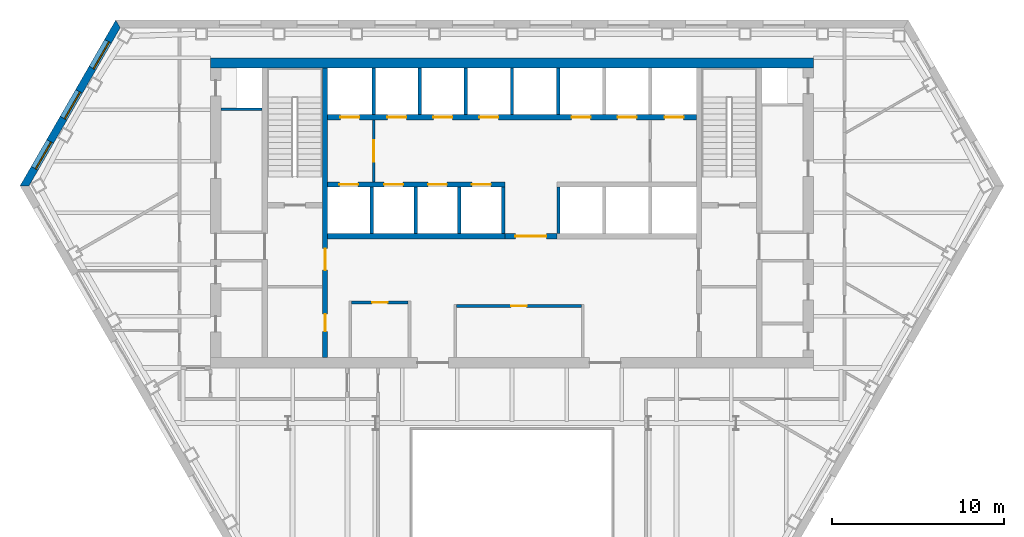
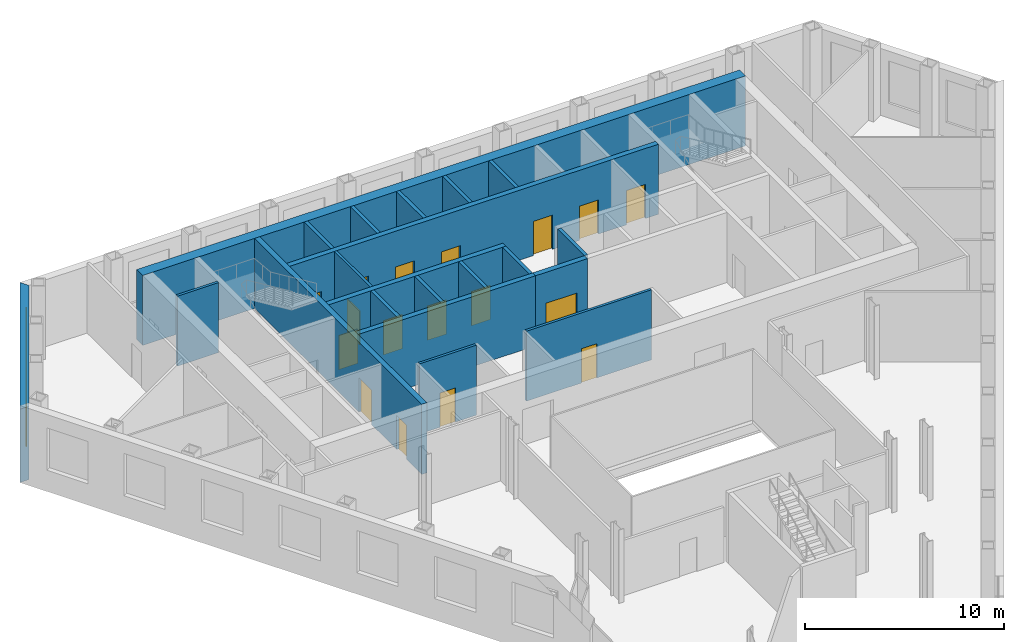
# One storey, part 6 of 11: 21 walls, 17 doors, 3 windows, 20 openings.
"""IFC4 building model written with IfcOpenShell, lengths in metres."""

from ifc_helpers import new_model, si_unit, direction, frame, frame_2d, origin, place, context, subcontext, project, spatial, polyline, rectangle, outline, extrude, material, layer, layer_set, type_object, element, fill, save


model = new_model("IFC4")

# Units and contexts
model_context = context("Model", 3, precision=1e-05, world=origin(), true_north=direction((0.0, 1.0)))
body_context = subcontext(model_context, "Body", "Model", "MODEL_VIEW")
ifc_project = project(units=[si_unit("LENGTHUNIT", "METRE"), si_unit("AREAUNIT", "SQUARE_METRE"), si_unit("VOLUMEUNIT", "CUBIC_METRE"), si_unit("PLANEANGLEUNIT", "RADIAN"), si_unit("MASSUNIT", "GRAM", prefix="KILO")], contexts=[model_context])

# Site, building, storey
site_placement = place(None, origin())
site = spatial("IfcSite", under=ifc_project, at=site_placement, CompositionType="ELEMENT")
building_placement = place(site_placement, origin())
building = spatial("IfcBuilding", under=site, at=building_placement, Name="Njiva Tower", CompositionType="ELEMENT")
storey_placement = place(building_placement, frame((0.0, 0.0, 64.8)))
storey = spatial("IfcBuildingStorey", under=building, at=storey_placement, Name="L13", CompositionType="ELEMENT", Elevation=64.8)

# Wall, opening, door
ifc_material_1 = material(Name="Blockwork", Category="masonry")
ifc_layer_1 = layer(ifc_material_1, 0.15)
ifc_layer_set_1 = layer_set([ifc_layer_1], Name="Blockwork")
wall_type_1 = type_object("IfcWallType", Name="WT1 Compartment partition 150", PredefinedType="PARTITIONING", material=ifc_layer_set_1)
wall_1_placement = place(storey_placement, frame((-9.325, 3.8, 0.0), z_axis=(0.0, 0.0, 1.0), x_axis=(1.0, 0.0, 0.0)))
wall_1 = element("IfcWall", 1, at=wall_1_placement, inside=storey, type_object=wall_type_1, Name="Security office wall north", PredefinedType="PARTITIONING", context=body_context, shape_type="SweptSolid", body=[
    extrude(rectangle(XDim=3.3, YDim=0.15, at=frame_2d((1.65, 0.0))), origin(), (0.0, 0.0, 1.0), 4.3),
])
opening_1_placement = place(wall_1_placement, frame((1.2, 0.0, 0.0)))
opening_1 = element("IfcOpeningElement", 2, at=opening_1_placement, cuts=wall_1, Name="Opening S04-D932", PredefinedType="OPENING", context=body_context, shape_type="SweptSolid", body=[
    extrude(rectangle(XDim=0.9, YDim=2.1, at=frame_2d((0.45, 1.05))), frame((0.0, 0.085, 0.0), z_axis=(0.0, -1.0, 0.0), x_axis=(1.0, 0.0, 0.0)), (0.0, 0.0, 1.0), 0.17),
])
ifc_material_2 = material(Name="Steel fire door, painted", Category="steel")
door_type_1 = type_object("IfcDoorType", Name="D6 Fire-rated door 900x2100", OperationType="SINGLE_SWING_LEFT", PredefinedType="DOOR", material=ifc_material_2)
door_1_placement = place(opening_1_placement, origin())
door_1 = element("IfcDoor", 3, at=door_1_placement, inside=storey, type_object=door_type_1, Name="Security office door", OperationType="SINGLE_SWING_RIGHT", OverallHeight=2.1, OverallWidth=0.9, PredefinedType="DOOR", context=body_context, shape_type="SweptSolid", body=[
    extrude(rectangle(XDim=0.9, YDim=2.1, at=frame_2d((0.45, 1.05))), frame((0.0, 0.025, 0.0), z_axis=(0.0, -1.0, 0.0), x_axis=(1.0, 0.0, 0.0)), (0.0, 0.0, 1.0), 0.05),
])
fill(opening_1, door_1)

wall_2_placement = place(storey_placement, frame((-3.225, 3.6, 0.0), z_axis=(0.0, 0.0, 1.0), x_axis=(1.0, 0.0, 0.0)))
wall_2 = element("IfcWall", 4, at=wall_2_placement, inside=storey, type_object=wall_type_1, Name="Concierge office wall north", PredefinedType="PARTITIONING", context=body_context, shape_type="SweptSolid", body=[
    extrude(rectangle(XDim=7.25, YDim=0.15, at=frame_2d((3.625, 0.0))), origin(), (0.0, 0.0, 1.0), 4.3),
])
opening_2_placement = place(wall_2_placement, frame((3.175, 0.0, 0.0)))
opening_2 = element("IfcOpeningElement", 5, at=opening_2_placement, cuts=wall_2, Name="Opening S04-D933", PredefinedType="OPENING", context=body_context, shape_type="SweptSolid", body=[
    extrude(rectangle(XDim=0.9, YDim=2.1, at=frame_2d((0.45, 1.05))), frame((0.0, 0.085, 0.0), z_axis=(0.0, -1.0, 0.0), x_axis=(1.0, 0.0, 0.0)), (0.0, 0.0, 1.0), 0.17),
])
door_2_placement = place(opening_2_placement, origin())
door_2 = element("IfcDoor", 6, at=door_2_placement, inside=storey, type_object=door_type_1, Name="Concierge office door", OperationType="SINGLE_SWING_LEFT", OverallHeight=2.1, OverallWidth=0.9, PredefinedType="DOOR", context=body_context, shape_type="SweptSolid", body=[
    extrude(rectangle(XDim=0.9, YDim=2.1, at=frame_2d((0.45, 1.05))), frame((0.0, 0.025, 0.0), z_axis=(0.0, -1.0, 0.0), x_axis=(1.0, 0.0, 0.0)), (0.0, 0.0, 1.0), 0.05),
])
fill(opening_2, door_2)

# Wall, openings, doors
ifc_material_3 = material(Name="Concrete C40/50", Category="concrete")
ifc_layer_2 = layer(ifc_material_3, 0.3)
ifc_layer_set_2 = layer_set([ifc_layer_2], Name="Concrete C40/50")
wall_type_2 = type_object("IfcWallType", Name="WT10 Stair enclosure wall 300", PredefinedType="SHEAR", material=ifc_layer_set_2)
wall_3_placement = place(storey_placement, frame((-10.85, 0.6, 0.0), z_axis=(0.0, 0.0, 1.0), x_axis=(0.0, 1.0, 0.0)))
wall_3 = element("IfcWall", 7, at=wall_3_placement, inside=storey, type_object=wall_type_2, Name="Stair wall west inner", PredefinedType="SHEAR", context=body_context, shape_type="SweptSolid", body=[
    extrude(rectangle(XDim=16.8, YDim=0.3, at=frame_2d((8.4, 0.0))), origin(), (0.0, 0.0, 1.0), 4.3),
])
opening_3_placement = place(wall_3_placement, frame((5.075, 0.0, 0.0)))
opening_3 = element("IfcOpeningElement", 8, at=opening_3_placement, cuts=wall_3, Name="Opening S04-D914", PredefinedType="OPENING", context=body_context, shape_type="SweptSolid", body=[
    extrude(rectangle(XDim=1.25, YDim=2.1, at=frame_2d((0.625, 1.05))), frame((0.0, 0.16, 0.0), z_axis=(0.0, -1.0, 0.0), x_axis=(1.0, 0.0, 0.0)), (0.0, 0.0, 1.0), 0.32),
])
opening_4_placement = place(wall_3_placement, frame((1.525, 0.0, 0.0)))
opening_4 = element("IfcOpeningElement", 9, at=opening_4_placement, cuts=wall_3, Name="Opening S04-D915", PredefinedType="OPENING", context=body_context, shape_type="SweptSolid", body=[
    extrude(rectangle(XDim=1.0, YDim=2.1, at=frame_2d((0.5, 1.05))), frame((0.0, 0.16, 0.0), z_axis=(0.0, -1.0, 0.0), x_axis=(1.0, 0.0, 0.0)), (0.0, 0.0, 1.0), 0.32),
])
ifc_material_4 = material(Name="Steel door, painted", Category="steel")
door_type_2 = type_object("IfcDoorType", Name="D5 Steel door 1000x2100", OperationType="SINGLE_SWING_LEFT", PredefinedType="DOOR", material=ifc_material_4)
door_3_placement = place(opening_4_placement, origin())
door_3 = element("IfcDoor", 10, at=door_3_placement, inside=storey, type_object=door_type_2, Name="Business centre door", OperationType="SINGLE_SWING_RIGHT", OverallHeight=2.1, OverallWidth=1.0, PredefinedType="DOOR", context=body_context, shape_type="SweptSolid", body=[
    extrude(rectangle(XDim=1.0, YDim=2.1, at=frame_2d((0.5, 1.05))), frame((0.0, 0.025, 0.0), z_axis=(0.0, -1.0, 0.0), x_axis=(1.0, 0.0, 0.0)), (0.0, 0.0, 1.0), 0.05),
])
fill(opening_4, door_3)
ifc_material_5 = material(Name="Glazed steel fire door", Category="steel")
door_type_3 = type_object("IfcDoorType", Name="D8 Vestibule corridor door 1250x2100 glazed", OperationType="SINGLE_SWING_LEFT", PredefinedType="DOOR", material=ifc_material_5)
door_4_placement = place(opening_3_placement, origin())
door_4 = element("IfcDoor", 11, at=door_4_placement, inside=storey, type_object=door_type_3, Name="Stair vestibule corridor door", OperationType="SINGLE_SWING_LEFT", OverallHeight=2.1, OverallWidth=1.25, PredefinedType="DOOR", context=body_context, shape_type="SweptSolid", body=[
    extrude(rectangle(XDim=1.25, YDim=2.1, at=frame_2d((0.625, 1.05))), frame((0.0, 0.025, 0.0), z_axis=(0.0, -1.0, 0.0), x_axis=(1.0, 0.0, 0.0)), (0.0, 0.0, 1.0), 0.05),
])
fill(opening_3, door_4)

# Wall
ifc_material_6 = material(Name="Concrete C60/75", Category="concrete")
ifc_layer_3 = layer(ifc_material_6, 0.6)
ifc_layer_set_3 = layer_set([ifc_layer_3], Name="Concrete C60/75")
wall_type_3 = type_object("IfcWallType", Name="WT15 Core wall 600", PredefinedType="SHEAR", material=ifc_layer_set_3)
wall_4_placement = place(storey_placement, frame((-17.5, 17.7, 0.0), z_axis=(0.0, 0.0, 1.0), x_axis=(1.0, 0.0, 0.0)))
element("IfcWall", 12, at=wall_4_placement, inside=storey, type_object=wall_type_3, Name="Core wall north", PredefinedType="SHEAR", context=body_context, shape_type="SweptSolid", body=[
    extrude(rectangle(XDim=35.0, YDim=0.6, at=frame_2d((17.5, 0.0))), origin(), (0.0, 0.0, 1.0), 4.3),
])

# Wall, opening, door
ifc_layer_4 = layer(ifc_material_1, 0.15)
ifc_layer_set_4 = layer_set([ifc_layer_4], Name="Blockwork")
wall_type_4 = type_object("IfcWallType", Name="WT2 Lobby partition 150", PredefinedType="PARTITIONING", material=ifc_layer_set_4)
wall_5_placement = place(storey_placement, frame((-8.025, 10.8, 0.0), z_axis=(0.0, 0.0, 1.0), x_axis=(0.0, 1.0, 0.0)))
wall_5 = element("IfcWall", 13, at=wall_5_placement, inside=storey, type_object=wall_type_4, Name="Firefighting lobby wall A", PredefinedType="PARTITIONING", context=body_context, shape_type="SweptSolid", body=[
    extrude(rectangle(XDim=3.6, YDim=0.15, at=frame_2d((1.8, 0.0))), origin(), (0.0, 0.0, 1.0), 4.3),
])
opening_5_placement = place(wall_5_placement, frame((1.175, 0.0, 0.0)))
opening_5 = element("IfcOpeningElement", 14, at=opening_5_placement, cuts=wall_5, Name="Opening S04-D912", PredefinedType="OPENING", context=body_context, shape_type="SweptSolid", body=[
    extrude(rectangle(XDim=1.25, YDim=2.1, at=frame_2d((0.625, 1.05))), frame((0.0, 0.085, 0.0), z_axis=(0.0, -1.0, 0.0), x_axis=(1.0, 0.0, 0.0)), (0.0, 0.0, 1.0), 0.17),
])
door_5_placement = place(opening_5_placement, origin())
door_5 = element("IfcDoor", 15, at=door_5_placement, inside=storey, type_object=door_type_3, Name="Stair vestibule corridor door", OperationType="SINGLE_SWING_RIGHT", OverallHeight=2.1, OverallWidth=1.25, PredefinedType="DOOR", context=body_context, shape_type="SweptSolid", body=[
    extrude(rectangle(XDim=1.25, YDim=2.1, at=frame_2d((0.625, 1.05))), frame((0.0, 0.025, 0.0), z_axis=(0.0, -1.0, 0.0), x_axis=(1.0, 0.0, 0.0)), (0.0, 0.0, 1.0), 0.05),
])
fill(opening_5, door_5)

# Wall
ifc_layer_5 = layer(ifc_material_1, 0.15)
ifc_layer_set_5 = layer_set([ifc_layer_5], Name="Blockwork")
wall_type_5 = type_object("IfcWallType", Name="WT3 Riser partition 150", PredefinedType="PARTITIONING", material=ifc_layer_set_5)
wall_6_placement = place(storey_placement, frame((-16.9, 15.0285, 0.0), z_axis=(0.0, 0.0, 1.0), x_axis=(1.0, 0.0, 0.0)))
element("IfcWall", 16, at=wall_6_placement, inside=storey, type_object=wall_type_5, Name="Partition strip W10", PredefinedType="PARTITIONING", context=body_context, shape_type="SweptSolid", body=[
    extrude(rectangle(XDim=2.4, YDim=0.15, at=frame_2d((1.2, 0.0))), origin(), (0.0, 0.0, 1.0), 4.3),
])

# Wall, opening, door
ifc_layer_6 = layer(ifc_material_1, 0.3)
ifc_layer_set_6 = layer_set([ifc_layer_6], Name="Blockwork")
wall_type_6 = type_object("IfcWallType", Name="WT5 Lobby partition 300", PredefinedType="PARTITIONING", material=ifc_layer_set_6)
wall_7_placement = place(storey_placement, frame((-0.4, 7.65, 0.0), z_axis=(0.0, 0.0, 1.0), x_axis=(1.0, 0.0, 0.0)))
wall_7 = element("IfcWall", 17, at=wall_7_placement, inside=storey, type_object=wall_type_6, Name="Lift lobby screen wall", PredefinedType="PARTITIONING", context=body_context, shape_type="SweptSolid", body=[
    extrude(rectangle(XDim=3.0, YDim=0.3, at=frame_2d((1.5, 0.0))), origin(), (0.0, 0.0, 1.0), 4.3),
])
opening_6_placement = place(wall_7_placement, frame((0.6, 0.0, 0.0)))
opening_6 = element("IfcOpeningElement", 18, at=opening_6_placement, cuts=wall_7, Name="Opening S04-D934", PredefinedType="OPENING", context=body_context, shape_type="SweptSolid", body=[
    extrude(rectangle(XDim=1.8, YDim=2.4, at=frame_2d((0.9, 1.2))), frame((0.0, 0.16, 0.0), z_axis=(0.0, -1.0, 0.0), x_axis=(1.0, 0.0, 0.0)), (0.0, 0.0, 1.0), 0.32),
])
ifc_material_7 = material(Name="Steel and glass door", Category="steel")
door_type_4 = type_object("IfcDoorType", Name="D3 Core entrance door 1800x2400", OperationType="DOUBLE_DOOR_SINGLE_SWING", PredefinedType="DOOR", material=ifc_material_7)
door_6_placement = place(opening_6_placement, origin())
door_6 = element("IfcDoor", 19, at=door_6_placement, inside=storey, type_object=door_type_4, Name="Core entrance door", OperationType="DOUBLE_DOOR_SINGLE_SWING", OverallHeight=2.4, OverallWidth=1.8, PredefinedType="DOOR", context=body_context, shape_type="SweptSolid", body=[
    extrude(rectangle(XDim=1.8, YDim=2.4, at=frame_2d((0.9, 1.2))), frame((0.0, 0.025, 0.0), z_axis=(0.0, -1.0, 0.0), x_axis=(1.0, 0.0, 0.0)), (0.0, 0.0, 1.0), 0.05),
])
fill(opening_6, door_6)

# Walls
ifc_layer_7 = layer(ifc_material_3, 0.2)
ifc_layer_set_7 = layer_set([ifc_layer_7], Name="Concrete C40/50")
wall_type_7 = type_object("IfcWallType", Name="WT6 Lift shaft wall 200", PredefinedType="SHEAR", material=ifc_layer_set_7)
for number, where, z_axis, x_axis, name in (
    (20, (-8.025, 14.7, 0.0), (0.0, 0.0, 1.0), (0.0, 1.0, 0.0), "Shaft wall CN1"),
    (21, (-5.35, 14.7, 0.0), (0.0, 0.0, 1.0), (0.0, 1.0, 0.0), "Shaft wall CN2"),
    (22, (-2.675, 14.7, 0.0), (0.0, 0.0, 1.0), (0.0, 1.0, 0.0), "Shaft wall CN3"),
    (23, (0.0, 14.7, 0.0), (0.0, 0.0, 1.0), (0.0, 1.0, 0.0), "Shaft wall CN4"),
    (24, (2.675, 14.7, 0.0), (0.0, 0.0, 1.0), (0.0, 1.0, 0.0), "Shaft wall CN5"),
    (25, (-8.15, 7.8, 0.0), (0.0, 0.0, 1.0), (0.0, 1.0, 0.0), "Shaft wall CS1"),
    (26, (-5.6, 7.8, 0.0), (0.0, 0.0, 1.0), (0.0, 1.0, 0.0), "Shaft wall CS2"),
    (27, (-3.05, 7.8, 0.0), (0.0, 0.0, 1.0), (0.0, 1.0, 0.0), "Shaft wall CS3"),
    (28, (-0.5, 7.8, 0.0), (0.0, 0.0, 1.0), (0.0, 1.0, 0.0), "Shaft wall CS4"),
    (29, (2.7, 7.8, 0.0), (0.0, 0.0, 1.0), (0.0, 1.0, 0.0), "Shaft wall CS5"),
):
    element("IfcWall", number, at=place(storey_placement, frame(where, z_axis=z_axis, x_axis=x_axis)), inside=storey, type_object=wall_type_7, Name=name, PredefinedType="SHEAR", context=body_context, shape_type="SweptSolid", body=[
        extrude(rectangle(XDim=2.7, YDim=0.2, at=frame_2d((1.35, 0.0))), origin(), (0.0, 0.0, 1.0), 4.3),
    ])

# Wall, openings, doors
ifc_layer_8 = layer(ifc_material_3, 0.3)
ifc_layer_set_8 = layer_set([ifc_layer_8], Name="Concrete C40/50")
wall_type_8 = type_object("IfcWallType", Name="WT7 Lift shaft wall 300", PredefinedType="SHEAR", material=ifc_layer_set_8)
wall_8_placement = place(storey_placement, frame((-10.7, 14.55, 0.0), z_axis=(0.0, 0.0, 1.0), x_axis=(1.0, 0.0, 0.0)))
wall_8 = element("IfcWall", 30, at=wall_8_placement, inside=storey, type_object=wall_type_8, Name="Shaft wall north row lobby side", PredefinedType="SHEAR", context=body_context, shape_type="SweptSolid", body=[
    extrude(rectangle(XDim=21.4, YDim=0.3, at=frame_2d((10.7, 0.0))), origin(), (0.0, 0.0, 1.0), 4.3),
])
opening_7_placement = place(wall_8_placement, frame((0.7375, 0.0, 0.0)))
opening_7 = element("IfcOpeningElement", 31, at=opening_7_placement, cuts=wall_8, Name="Opening S04-D901", PredefinedType="OPENING", context=body_context, shape_type="SweptSolid", body=[
    extrude(rectangle(XDim=1.1, YDim=2.1, at=frame_2d((0.55, 1.05))), frame((0.0, 0.16, 0.0), z_axis=(0.0, -1.0, 0.0), x_axis=(1.0, 0.0, 0.0)), (0.0, 0.0, 1.0), 0.32),
])
opening_8_placement = place(wall_8_placement, frame((3.4625, 0.0, 0.0)))
opening_8 = element("IfcOpeningElement", 32, at=opening_8_placement, cuts=wall_8, Name="Opening S04-D902", PredefinedType="OPENING", context=body_context, shape_type="SweptSolid", body=[
    extrude(rectangle(XDim=1.1, YDim=2.1, at=frame_2d((0.55, 1.05))), frame((0.0, 0.16, 0.0), z_axis=(0.0, -1.0, 0.0), x_axis=(1.0, 0.0, 0.0)), (0.0, 0.0, 1.0), 0.32),
])
opening_9_placement = place(wall_8_placement, frame((6.1375, 0.0, 0.0)))
opening_9 = element("IfcOpeningElement", 33, at=opening_9_placement, cuts=wall_8, Name="Opening S04-D903", PredefinedType="OPENING", context=body_context, shape_type="SweptSolid", body=[
    extrude(rectangle(XDim=1.1, YDim=2.1, at=frame_2d((0.55, 1.05))), frame((0.0, 0.16, 0.0), z_axis=(0.0, -1.0, 0.0), x_axis=(1.0, 0.0, 0.0)), (0.0, 0.0, 1.0), 0.32),
])
opening_10_placement = place(wall_8_placement, frame((8.8125, 0.0, 0.0)))
opening_10 = element("IfcOpeningElement", 34, at=opening_10_placement, cuts=wall_8, Name="Opening S04-D904", PredefinedType="OPENING", context=body_context, shape_type="SweptSolid", body=[
    extrude(rectangle(XDim=1.1, YDim=2.1, at=frame_2d((0.55, 1.05))), frame((0.0, 0.16, 0.0), z_axis=(0.0, -1.0, 0.0), x_axis=(1.0, 0.0, 0.0)), (0.0, 0.0, 1.0), 0.32),
])
opening_11_placement = place(wall_8_placement, frame((14.1625, 0.0, 0.0)))
opening_11 = element("IfcOpeningElement", 35, at=opening_11_placement, cuts=wall_8, Name="Opening S04-D905", PredefinedType="OPENING", context=body_context, shape_type="SweptSolid", body=[
    extrude(rectangle(XDim=1.1, YDim=2.1, at=frame_2d((0.55, 1.05))), frame((0.0, 0.16, 0.0), z_axis=(0.0, -1.0, 0.0), x_axis=(1.0, 0.0, 0.0)), (0.0, 0.0, 1.0), 0.32),
])
opening_12_placement = place(wall_8_placement, frame((16.8375, 0.0, 0.0)))
opening_12 = element("IfcOpeningElement", 36, at=opening_12_placement, cuts=wall_8, Name="Opening S04-D906", PredefinedType="OPENING", context=body_context, shape_type="SweptSolid", body=[
    extrude(rectangle(XDim=1.1, YDim=2.1, at=frame_2d((0.55, 1.05))), frame((0.0, 0.16, 0.0), z_axis=(0.0, -1.0, 0.0), x_axis=(1.0, 0.0, 0.0)), (0.0, 0.0, 1.0), 0.32),
])
opening_13_placement = place(wall_8_placement, frame((19.5625, 0.0, 0.0)))
opening_13 = element("IfcOpeningElement", 37, at=opening_13_placement, cuts=wall_8, Name="Opening S04-D907", PredefinedType="OPENING", context=body_context, shape_type="SweptSolid", body=[
    extrude(rectangle(XDim=1.1, YDim=2.1, at=frame_2d((0.55, 1.05))), frame((0.0, 0.16, 0.0), z_axis=(0.0, -1.0, 0.0), x_axis=(1.0, 0.0, 0.0)), (0.0, 0.0, 1.0), 0.32),
])
ifc_material_8 = material(Name="Stainless steel sliding door", Category="steel")
door_type_5 = type_object("IfcDoorType", Name="LD Lift landing door 1100x2100", OperationType="SLIDING_TO_LEFT", PredefinedType="DOOR", material=ifc_material_8)
door_7_placement = place(opening_7_placement, origin())
door_7 = element("IfcDoor", 38, at=door_7_placement, inside=storey, type_object=door_type_5, Name="Lift landing door FF1", OperationType="SLIDING_TO_LEFT", OverallHeight=2.1, OverallWidth=1.1, PredefinedType="DOOR", context=body_context, shape_type="SweptSolid", body=[
    extrude(rectangle(XDim=1.1, YDim=2.1, at=frame_2d((0.55, 1.05))), frame((0.0, 0.025, 0.0), z_axis=(0.0, -1.0, 0.0), x_axis=(1.0, 0.0, 0.0)), (0.0, 0.0, 1.0), 0.05),
])
fill(opening_7, door_7)
door_8_placement = place(opening_8_placement, origin())
door_8 = element("IfcDoor", 39, at=door_8_placement, inside=storey, type_object=door_type_5, Name="Lift landing door LB1", OperationType="SLIDING_TO_LEFT", OverallHeight=2.1, OverallWidth=1.1, PredefinedType="DOOR", context=body_context, shape_type="SweptSolid", body=[
    extrude(rectangle(XDim=1.1, YDim=2.1, at=frame_2d((0.55, 1.05))), frame((0.0, 0.025, 0.0), z_axis=(0.0, -1.0, 0.0), x_axis=(1.0, 0.0, 0.0)), (0.0, 0.0, 1.0), 0.05),
])
fill(opening_8, door_8)
door_9_placement = place(opening_9_placement, origin())
door_9 = element("IfcDoor", 40, at=door_9_placement, inside=storey, type_object=door_type_5, Name="Lift landing door LB2", OperationType="SLIDING_TO_LEFT", OverallHeight=2.1, OverallWidth=1.1, PredefinedType="DOOR", context=body_context, shape_type="SweptSolid", body=[
    extrude(rectangle(XDim=1.1, YDim=2.1, at=frame_2d((0.55, 1.05))), frame((0.0, 0.025, 0.0), z_axis=(0.0, -1.0, 0.0), x_axis=(1.0, 0.0, 0.0)), (0.0, 0.0, 1.0), 0.05),
])
fill(opening_9, door_9)
door_10_placement = place(opening_10_placement, origin())
door_10 = element("IfcDoor", 41, at=door_10_placement, inside=storey, type_object=door_type_5, Name="Lift landing door LB3", OperationType="SLIDING_TO_LEFT", OverallHeight=2.1, OverallWidth=1.1, PredefinedType="DOOR", context=body_context, shape_type="SweptSolid", body=[
    extrude(rectangle(XDim=1.1, YDim=2.1, at=frame_2d((0.55, 1.05))), frame((0.0, 0.025, 0.0), z_axis=(0.0, -1.0, 0.0), x_axis=(1.0, 0.0, 0.0)), (0.0, 0.0, 1.0), 0.05),
])
fill(opening_10, door_10)
door_11_placement = place(opening_11_placement, origin())
door_11 = element("IfcDoor", 42, at=door_11_placement, inside=storey, type_object=door_type_5, Name="Lift landing door FR1", OperationType="SLIDING_TO_LEFT", OverallHeight=2.1, OverallWidth=1.1, PredefinedType="DOOR", context=body_context, shape_type="SweptSolid", body=[
    extrude(rectangle(XDim=1.1, YDim=2.1, at=frame_2d((0.55, 1.05))), frame((0.0, 0.025, 0.0), z_axis=(0.0, -1.0, 0.0), x_axis=(1.0, 0.0, 0.0)), (0.0, 0.0, 1.0), 0.05),
])
fill(opening_11, door_11)
door_12_placement = place(opening_12_placement, origin())
door_12 = element("IfcDoor", 43, at=door_12_placement, inside=storey, type_object=door_type_5, Name="Lift landing door FR2", OperationType="SLIDING_TO_LEFT", OverallHeight=2.1, OverallWidth=1.1, PredefinedType="DOOR", context=body_context, shape_type="SweptSolid", body=[
    extrude(rectangle(XDim=1.1, YDim=2.1, at=frame_2d((0.55, 1.05))), frame((0.0, 0.025, 0.0), z_axis=(0.0, -1.0, 0.0), x_axis=(1.0, 0.0, 0.0)), (0.0, 0.0, 1.0), 0.05),
])
fill(opening_12, door_12)
door_13_placement = place(opening_13_placement, origin())
door_13 = element("IfcDoor", 44, at=door_13_placement, inside=storey, type_object=door_type_5, Name="Lift landing door FF2", OperationType="SLIDING_TO_LEFT", OverallHeight=2.1, OverallWidth=1.1, PredefinedType="DOOR", context=body_context, shape_type="SweptSolid", body=[
    extrude(rectangle(XDim=1.1, YDim=2.1, at=frame_2d((0.55, 1.05))), frame((0.0, 0.025, 0.0), z_axis=(0.0, -1.0, 0.0), x_axis=(1.0, 0.0, 0.0)), (0.0, 0.0, 1.0), 0.05),
])
fill(opening_13, door_13)

wall_9_placement = place(storey_placement, frame((-10.7, 10.65, 0.0), z_axis=(0.0, 0.0, 1.0), x_axis=(1.0, 0.0, 0.0)))
wall_9 = element("IfcWall", 45, at=wall_9_placement, inside=storey, type_object=wall_type_8, Name="Shaft wall south row lobby side W", PredefinedType="SHEAR", context=body_context, shape_type="SweptSolid", body=[
    extrude(rectangle(XDim=10.3, YDim=0.3, at=frame_2d((5.15, 0.0))), origin(), (0.0, 0.0, 1.0), 4.3),
])
opening_14_placement = place(wall_9_placement, frame((0.675, 0.0, 0.0)))
opening_14 = element("IfcOpeningElement", 46, at=opening_14_placement, cuts=wall_9, Name="Opening S04-D908", PredefinedType="OPENING", context=body_context, shape_type="SweptSolid", body=[
    extrude(rectangle(XDim=1.1, YDim=2.1, at=frame_2d((0.55, 1.05))), frame((0.0, 0.16, 0.0), z_axis=(0.0, -1.0, 0.0), x_axis=(1.0, 0.0, 0.0)), (0.0, 0.0, 1.0), 0.32),
])
opening_15_placement = place(wall_9_placement, frame((3.275, 0.0, 0.0)))
opening_15 = element("IfcOpeningElement", 47, at=opening_15_placement, cuts=wall_9, Name="Opening S04-D909", PredefinedType="OPENING", context=body_context, shape_type="SweptSolid", body=[
    extrude(rectangle(XDim=1.1, YDim=2.1, at=frame_2d((0.55, 1.05))), frame((0.0, 0.16, 0.0), z_axis=(0.0, -1.0, 0.0), x_axis=(1.0, 0.0, 0.0)), (0.0, 0.0, 1.0), 0.32),
])
opening_16_placement = place(wall_9_placement, frame((5.825, 0.0, 0.0)))
opening_16 = element("IfcOpeningElement", 48, at=opening_16_placement, cuts=wall_9, Name="Opening S04-D910", PredefinedType="OPENING", context=body_context, shape_type="SweptSolid", body=[
    extrude(rectangle(XDim=1.1, YDim=2.1, at=frame_2d((0.55, 1.05))), frame((0.0, 0.16, 0.0), z_axis=(0.0, -1.0, 0.0), x_axis=(1.0, 0.0, 0.0)), (0.0, 0.0, 1.0), 0.32),
])
opening_17_placement = place(wall_9_placement, frame((8.375, 0.0, 0.0)))
opening_17 = element("IfcOpeningElement", 49, at=opening_17_placement, cuts=wall_9, Name="Opening S04-D911", PredefinedType="OPENING", context=body_context, shape_type="SweptSolid", body=[
    extrude(rectangle(XDim=1.1, YDim=2.1, at=frame_2d((0.55, 1.05))), frame((0.0, 0.16, 0.0), z_axis=(0.0, -1.0, 0.0), x_axis=(1.0, 0.0, 0.0)), (0.0, 0.0, 1.0), 0.32),
])
door_14_placement = place(opening_14_placement, origin())
door_14 = element("IfcDoor", 50, at=door_14_placement, inside=storey, type_object=door_type_5, Name="Lift landing door LB4", OperationType="SLIDING_TO_LEFT", OverallHeight=2.1, OverallWidth=1.1, PredefinedType="DOOR", context=body_context, shape_type="SweptSolid", body=[
    extrude(rectangle(XDim=1.1, YDim=2.1, at=frame_2d((0.55, 1.05))), frame((0.0, 0.025, 0.0), z_axis=(0.0, -1.0, 0.0), x_axis=(1.0, 0.0, 0.0)), (0.0, 0.0, 1.0), 0.05),
])
fill(opening_14, door_14)
door_15_placement = place(opening_15_placement, origin())
door_15 = element("IfcDoor", 51, at=door_15_placement, inside=storey, type_object=door_type_5, Name="Lift landing door LB5", OperationType="SLIDING_TO_LEFT", OverallHeight=2.1, OverallWidth=1.1, PredefinedType="DOOR", context=body_context, shape_type="SweptSolid", body=[
    extrude(rectangle(XDim=1.1, YDim=2.1, at=frame_2d((0.55, 1.05))), frame((0.0, 0.025, 0.0), z_axis=(0.0, -1.0, 0.0), x_axis=(1.0, 0.0, 0.0)), (0.0, 0.0, 1.0), 0.05),
])
fill(opening_15, door_15)
door_16_placement = place(opening_16_placement, origin())
door_16 = element("IfcDoor", 52, at=door_16_placement, inside=storey, type_object=door_type_5, Name="Lift landing door LB6", OperationType="SLIDING_TO_LEFT", OverallHeight=2.1, OverallWidth=1.1, PredefinedType="DOOR", context=body_context, shape_type="SweptSolid", body=[
    extrude(rectangle(XDim=1.1, YDim=2.1, at=frame_2d((0.55, 1.05))), frame((0.0, 0.025, 0.0), z_axis=(0.0, -1.0, 0.0), x_axis=(1.0, 0.0, 0.0)), (0.0, 0.0, 1.0), 0.05),
])
fill(opening_16, door_16)
door_17_placement = place(opening_17_placement, origin())
door_17 = element("IfcDoor", 53, at=door_17_placement, inside=storey, type_object=door_type_5, Name="Lift landing door LB7", OperationType="SLIDING_TO_LEFT", OverallHeight=2.1, OverallWidth=1.1, PredefinedType="DOOR", context=body_context, shape_type="SweptSolid", body=[
    extrude(rectangle(XDim=1.1, YDim=2.1, at=frame_2d((0.55, 1.05))), frame((0.0, 0.025, 0.0), z_axis=(0.0, -1.0, 0.0), x_axis=(1.0, 0.0, 0.0)), (0.0, 0.0, 1.0), 0.05),
])
fill(opening_17, door_17)

# Wall
wall_10_placement = place(storey_placement, frame((-10.7, 7.65, 0.0), z_axis=(0.0, 0.0, 1.0), x_axis=(1.0, 0.0, 0.0)))
element("IfcWall", 54, at=wall_10_placement, inside=storey, type_object=wall_type_8, Name="Shaft wall south row back W", PredefinedType="SHEAR", context=body_context, shape_type="SweptSolid", body=[
    extrude(rectangle(XDim=10.3, YDim=0.3, at=frame_2d((5.15, 0.0))), origin(), (0.0, 0.0, 1.0), 4.3),
])

# Wall, openings, windows
ifc_material_9 = material(Name="Brick masonry, buff", Category="masonry")
ifc_layer_9 = layer(ifc_material_9, 0.45)
ifc_layer_set_9 = layer_set([ifc_layer_9], Name="Brick masonry, buff")
wall_type_9 = type_object("IfcWallType", Name="WT94 Brick pier and spandrel wall 450, buff", PredefinedType="SOLIDWALL", material=ifc_layer_set_9)
wall_11_placement = place(storey_placement, frame((-22.8713, 19.9728, -0.4), z_axis=(0.0, 0.0, 1.0), x_axis=(-0.500001948972, -0.866024278542, 0.0)))
wall_11 = element("IfcWall", 55, at=wall_11_placement, inside=storey, type_object=wall_type_9, Name="Facade wall NW", PredefinedType="SOLIDWALL", context=body_context, shape_type="SweptSolid", body=[
    extrude(outline(polyline([(-0.1299, -0.225), (10.9801, -0.225), (10.7203, 0.225), (0.1299, 0.225), (-0.1299, -0.225)])), origin(), (0.0, 0.0, 1.0), 4.5),
])
opening_18_placement = place(wall_11_placement, frame((1.1681, 0.0, 1.3)))
opening_18 = element("IfcOpeningElement", 56, at=opening_18_placement, cuts=wall_11, Name="Opening S04-W09", PredefinedType="OPENING", context=body_context, shape_type="SweptSolid", body=[
    extrude(rectangle(XDim=1.8, YDim=2.6, at=frame_2d((0.9, 1.3))), frame((0.0, 0.235, 0.0), z_axis=(0.0, -1.0, 0.0), x_axis=(1.0, 0.0, 0.0)), (0.0, 0.0, 1.0), 0.47),
])
opening_19_placement = place(wall_11_placement, frame((4.5251, 0.0, 1.3)))
opening_19 = element("IfcOpeningElement", 57, at=opening_19_placement, cuts=wall_11, Name="Opening S04-W10", PredefinedType="OPENING", context=body_context, shape_type="SweptSolid", body=[
    extrude(rectangle(XDim=1.8, YDim=2.6, at=frame_2d((0.9, 1.3))), frame((0.0, 0.235, 0.0), z_axis=(0.0, -1.0, 0.0), x_axis=(1.0, 0.0, 0.0)), (0.0, 0.0, 1.0), 0.47),
])
opening_20_placement = place(wall_11_placement, frame((7.8821, 0.0, 1.3)))
opening_20 = element("IfcOpeningElement", 58, at=opening_20_placement, cuts=wall_11, Name="Opening S04-W11", PredefinedType="OPENING", context=body_context, shape_type="SweptSolid", body=[
    extrude(rectangle(XDim=1.8, YDim=2.6, at=frame_2d((0.9, 1.3))), frame((0.0, 0.235, 0.0), z_axis=(0.0, -1.0, 0.0), x_axis=(1.0, 0.0, 0.0)), (0.0, 0.0, 1.0), 0.47),
])
ifc_material_10 = material(Name="Clear glazing in aluminium frame", Category="aluminium")
window_type = type_object("IfcWindowType", Name="W96 Deep-set window 1800x2600", PartitioningType="SINGLE_PANEL", PredefinedType="WINDOW", material=ifc_material_10)
window_1_placement = place(opening_18_placement, origin())
window_1 = element("IfcWindow", 59, at=window_1_placement, inside=storey, type_object=window_type, Name="Window", OverallHeight=2.6, OverallWidth=1.8, PartitioningType="SINGLE_PANEL", PredefinedType="WINDOW", context=body_context, shape_type="SweptSolid", body=[
    extrude(rectangle(XDim=1.8, YDim=2.6, at=frame_2d((0.9, 1.3))), frame((0.0, 0.105, 0.0), z_axis=(0.0, -1.0, 0.0), x_axis=(1.0, 0.0, 0.0)), (0.0, 0.0, 1.0), 0.06),
])
fill(opening_18, window_1)
window_2_placement = place(opening_19_placement, origin())
window_2 = element("IfcWindow", 60, at=window_2_placement, inside=storey, type_object=window_type, Name="Window", OverallHeight=2.6, OverallWidth=1.8, PartitioningType="SINGLE_PANEL", PredefinedType="WINDOW", context=body_context, shape_type="SweptSolid", body=[
    extrude(rectangle(XDim=1.8, YDim=2.6, at=frame_2d((0.9, 1.3))), frame((0.0, 0.105, 0.0), z_axis=(0.0, -1.0, 0.0), x_axis=(1.0, 0.0, 0.0)), (0.0, 0.0, 1.0), 0.06),
])
fill(opening_19, window_2)
window_3_placement = place(opening_20_placement, origin())
window_3 = element("IfcWindow", 61, at=window_3_placement, inside=storey, type_object=window_type, Name="Window", OverallHeight=2.6, OverallWidth=1.8, PartitioningType="SINGLE_PANEL", PredefinedType="WINDOW", context=body_context, shape_type="SweptSolid", body=[
    extrude(rectangle(XDim=1.8, YDim=2.6, at=frame_2d((0.9, 1.3))), frame((0.0, 0.105, 0.0), z_axis=(0.0, -1.0, 0.0), x_axis=(1.0, 0.0, 0.0)), (0.0, 0.0, 1.0), 0.06),
])
fill(opening_20, window_3)

save(model, "model.ifc")
